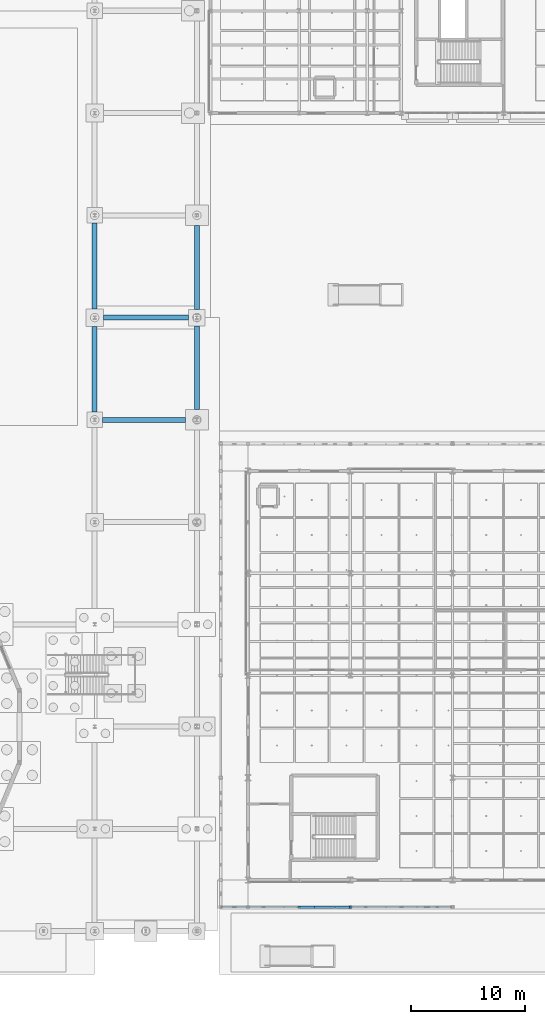
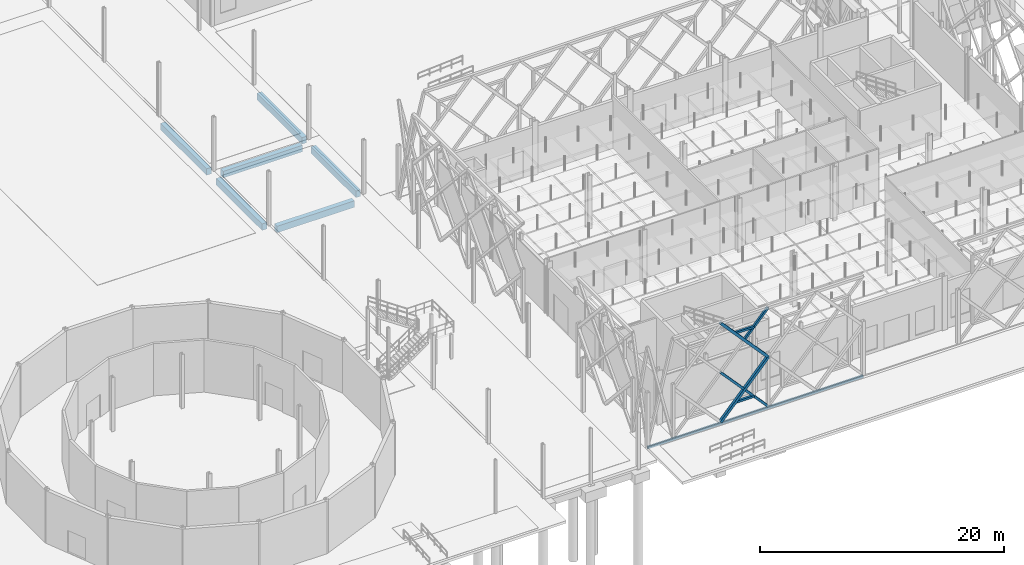
# One storey, part 34 of 180: 7 beams, 7 members.
"""IFC4 building model written with IfcOpenShell, lengths in metres."""

from ifc_helpers import new_model, si_unit, direction, frame, origin, origin_2d, place, context, subcontext, project, spatial, rectangle, hollow_rectangle, extrude, material, material_profile, profile_set, type_object, element, save


model = new_model("IFC4")

# Units and contexts
model_context = context("Model", 3, precision=1e-05, world=origin(), true_north=direction((0.0, 1.0)))
body_context = subcontext(model_context, "Body", "Model", "MODEL_VIEW")
ifc_project = project(units=[si_unit("LENGTHUNIT", "METRE"), si_unit("AREAUNIT", "SQUARE_METRE"), si_unit("VOLUMEUNIT", "CUBIC_METRE"), si_unit("PLANEANGLEUNIT", "RADIAN"), si_unit("MASSUNIT", "GRAM", prefix="KILO"), si_unit("THERMODYNAMICTEMPERATUREUNIT", "KELVIN"), si_unit("POWERUNIT", "WATT")], contexts=[model_context])

# Site, building, storey
site_placement = place(None, origin())
site = spatial("IfcSite", under=ifc_project, at=site_placement, CompositionType="ELEMENT")
building_placement = place(site_placement, origin())
building = spatial("IfcBuilding", under=site, at=building_placement, Name="Tallowbark Science Centre", CompositionType="ELEMENT")
storey_placement = place(building_placement, origin())
storey = spatial("IfcBuildingStorey", under=building, at=storey_placement, Name="L00", CompositionType="ELEMENT", Elevation=0.0)

# Beams
ifc_material_1 = material(Name="Concrete Grade N40 (40 MPa)", Category="concrete")
ifc_material_profile_1 = material_profile(ifc_material_1, rectangle(XDim=0.449951171875, YDim=0.64990234375, at=origin_2d()), Name="RC450x650")
ifc_profile_set_1 = profile_set([ifc_material_profile_1], Name="Concrete Grade N40 (40 MPa)")
beam_type_1 = type_object("IfcBeamType", Name="BM-GB2-N40", PredefinedType="BEAM", material=ifc_profile_set_1)
beam_1_placement = place(storey_placement, frame((45.675048828125, 45.0, -0.5849609375), z_axis=(1.0, 0.0, 0.0), x_axis=(0.0, 1.0, 0.0)))
element("IfcBeam", 1, at=beam_1_placement, inside=storey, type_object=beam_type_1, Name="Ground Tie Beam GBT-X-267", PredefinedType="BEAM", context=body_context, shape_type="SweptSolid", body=[
    extrude(rectangle(XDim=0.449951171875, YDim=0.64990234375, at=origin_2d()), origin(), (0.0, 0.0, 1.0), 7.324951171875),
])
beam_2_placement = place(storey_placement, frame((45.77490234375, 54.0, -0.5849609375), z_axis=(1.0, 0.0, 0.0), x_axis=(0.0, 1.0, 0.0)))
element("IfcBeam", 2, at=beam_2_placement, inside=storey, type_object=beam_type_1, Name="Ground Tie Beam GBT-X-268", PredefinedType="BEAM", context=body_context, shape_type="SweptSolid", body=[
    extrude(rectangle(XDim=0.449951171875, YDim=0.64990234375, at=origin_2d()), origin(), (0.0, 0.0, 1.0), 7.5),
])
for number, where, z_axis, x_axis, name in (
    (3, (45.0, 45.675048828125, -0.5849609375), (0.0, 1.0, 0.0), (-1.0, 0.0, 0.0), "Ground Tie Beam GBT-Y-308"),
    (4, (45.0, 54.77490234375, -0.5849609375), (0.0, 1.0, 0.0), (-1.0, 0.0, 0.0), "Ground Tie Beam GBT-Y-309"),
):
    element("IfcBeam", number, at=place(storey_placement, frame(where, z_axis=z_axis, x_axis=x_axis)), inside=storey, type_object=beam_type_1, Name=name, PredefinedType="BEAM", context=body_context, shape_type="SweptSolid", body=[
        extrude(rectangle(XDim=0.449951171875, YDim=0.64990234375, at=origin_2d()), origin(), (0.0, 0.0, 1.0), 7.550048828125),
    ])
for number, where, z_axis, x_axis, name in (
    (5, (54.0, 45.89990234375, -0.5849609375), (0.0, 1.0, 0.0), (-1.0, 0.0, 0.0), "Ground Tie Beam GBT-Y-320"),
    (6, (54.0, 54.72509765625, -0.5849609375), (0.0, 1.0, 0.0), (-1.0, 0.0, 0.0), "Ground Tie Beam GBT-Y-321"),
):
    element("IfcBeam", number, at=place(storey_placement, frame(where, z_axis=z_axis, x_axis=x_axis)), inside=storey, type_object=beam_type_1, Name=name, PredefinedType="BEAM", context=body_context, shape_type="SweptSolid", body=[
        extrude(rectangle(XDim=0.449951171875, YDim=0.64990234375, at=origin_2d()), origin(), (0.0, 0.0, 1.0), 7.375),
    ])

# Members
ifc_material_2 = material(Name="White Architectural Painted Steel Grade C350L0 (350 MPa)", Category="steel")
ifc_material_profile_2 = material_profile(ifc_material_2, hollow_rectangle(XDim=0.25, YDim=0.25, WallThickness=0.009033203125, at=origin_2d()), Name="250x250x9.0SHS")
ifc_profile_set_2 = profile_set([ifc_material_profile_2], Name="White Architectural Painted Steel Grade C350L0 (350 MPa)")
member_type_1 = type_object("IfcMemberType", Name="SCR-CHD200", PredefinedType="CHORD", material=ifc_profile_set_2)
for number, where, z_axis, x_axis, name in (
    (7, (63.0, 2.10009765625, 0.0), (0.672676426978, 0.0, 0.739936770669), (0.0, 1.0, 0.0), "Star Screen Octagram Diamond Chord S-1-1"),
    (8, (67.5, 2.10009765625, 4.949951171875), (-0.672676426978, 0.0, 0.739936770669), (0.0, -1.0, 0.0), "Star Screen Octagram Diamond Chord S-1-2"),
):
    element("IfcMember", number, at=place(storey_placement, frame(where, z_axis=z_axis, x_axis=x_axis)), inside=storey, type_object=member_type_1, Name=name, PredefinedType="CHORD", context=body_context, shape_type="SweptSolid", body=[
        extrude(hollow_rectangle(XDim=0.25, YDim=0.25, WallThickness=0.009033203125, at=origin_2d()), origin(), (0.0, 0.0, 1.0), 6.689697265625),
    ])
ifc_material_profile_3 = material_profile(ifc_material_2, hollow_rectangle(XDim=0.199951171875, YDim=0.199951171875, WallThickness=0.009033203125, at=origin_2d()), Name="200x200x9.0SHS")
ifc_profile_set_3 = profile_set([ifc_material_profile_3], Name="White Architectural Painted Steel Grade C350L0 (350 MPa)")
member_type_2 = type_object("IfcMemberType", Name="SCR-STAR139", PredefinedType="BRACE", material=ifc_profile_set_3)
for number, where, z_axis, x_axis, name in (
    (9, (65.25, 2.10009765625, 7.425048828125), (0.672694592231, 0.0, 0.739920256233), (0.0, 1.0, 0.0), "Star Screen Continuous X-Diagonal D1B S-1"),
    (10, (63.0, 2.10009765625, 4.949951171875), (0.672694592231, 0.0, -0.739920256233), (0.0, 1.0, 0.0), "Star Screen Split X-Diagonal D2C S-1"),
):
    element("IfcMember", number, at=place(storey_placement, frame(where, z_axis=z_axis, x_axis=x_axis)), inside=storey, type_object=member_type_2, Name=name, PredefinedType="BRACE", context=body_context, shape_type="SweptSolid", body=[
        extrude(hollow_rectangle(XDim=0.199951171875, YDim=0.199951171875, WallThickness=0.009033203125, at=origin_2d()), origin(), (0.0, 0.0, 1.0), 3.3447265625),
    ])
member_placement = place(storey_placement, frame((65.25, 2.10009765625, 2.47509765625), z_axis=(0.672658262301, 0.0, -0.739953283768), x_axis=(0.0, 1.0, 0.0)))
element("IfcMember", 11, at=member_placement, inside=storey, type_object=member_type_2, Name="Star Screen Split X-Diagonal D2D S-1", PredefinedType="BRACE", context=body_context, shape_type="SweptSolid", body=[
    extrude(hollow_rectangle(XDim=0.199951171875, YDim=0.199951171875, WallThickness=0.009033203125, at=origin_2d()), origin(), (0.0, 0.0, 1.0), 3.344970703125),
])
ifc_material_profile_4 = material_profile(ifc_material_2, hollow_rectangle(XDim=0.199951171875, YDim=0.199951171875, WallThickness=0.009033203125, at=origin_2d()), Name="200x200x9.0SHS")
ifc_profile_set_4 = profile_set([ifc_material_profile_4], Name="White Architectural Painted Steel Grade C350L0 (350 MPa)")
member_type_3 = type_object("IfcMemberType", Name="SCR-SUB150", PredefinedType="BRACE", material=ifc_profile_set_4)
for number, where, z_axis, x_axis, name in (
    (12, (66.14990234375, 2.10009765625, 1.485107421875), (-1.0, 0.0, 0.0), (0.0, -1.0, 0.0), "Star Screen Octagram Point Ray S-1-3"),
    (13, (66.14990234375, 2.10009765625, 8.4150390625), (-1.0, 0.0, 0.0), (0.0, -1.0, 0.0), "Star Screen Octagram Point Ray S-1-5"),
):
    element("IfcMember", number, at=place(storey_placement, frame(where, z_axis=z_axis, x_axis=x_axis)), inside=storey, type_object=member_type_3, Name=name, PredefinedType="BRACE", context=body_context, shape_type="SweptSolid", body=[
        extrude(hollow_rectangle(XDim=0.199951171875, YDim=0.199951171875, WallThickness=0.009033203125, at=origin_2d()), origin(), (0.0, 0.0, 1.0), 1.7998046875),
    ])

# Beam
ifc_material_profile_5 = material_profile(ifc_material_2, hollow_rectangle(XDim=0.14990234375, YDim=0.25, WallThickness=0.009033203125, at=origin_2d()), Name="250x150x9.0RHS")
ifc_profile_set_5 = profile_set([ifc_material_profile_5], Name="White Architectural Painted Steel Grade C350L0 (350 MPa)")
beam_type_2 = type_object("IfcBeamType", Name="SPN-RHS250", PredefinedType="SPANDREL", material=ifc_profile_set_5)
beam_3_placement = place(storey_placement, frame((56.10009765625, 2.10009765625, -0.14990234375), z_axis=(1.0, 0.0, 0.0), x_axis=(0.0, 1.0, 0.0)))
element("IfcBeam", 14, at=beam_3_placement, inside=storey, type_object=beam_type_2, Name="Star Screen Perimeter Ring Beam S-L00", PredefinedType="SPANDREL", context=body_context, shape_type="SweptSolid", body=[
    extrude(hollow_rectangle(XDim=0.14990234375, YDim=0.25, WallThickness=0.009033203125, at=origin_2d()), origin(), (0.0, 0.0, 1.0), 20.39990234375),
])

save(model, "model.ifc")
